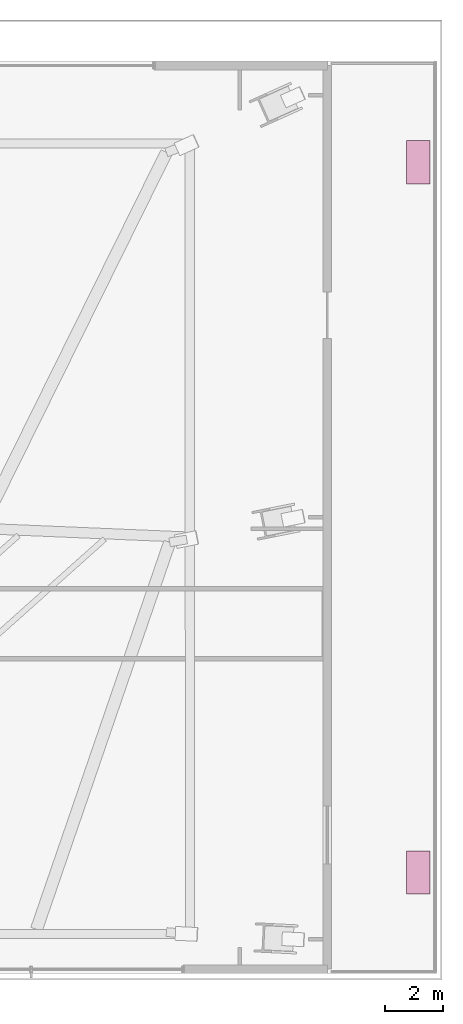
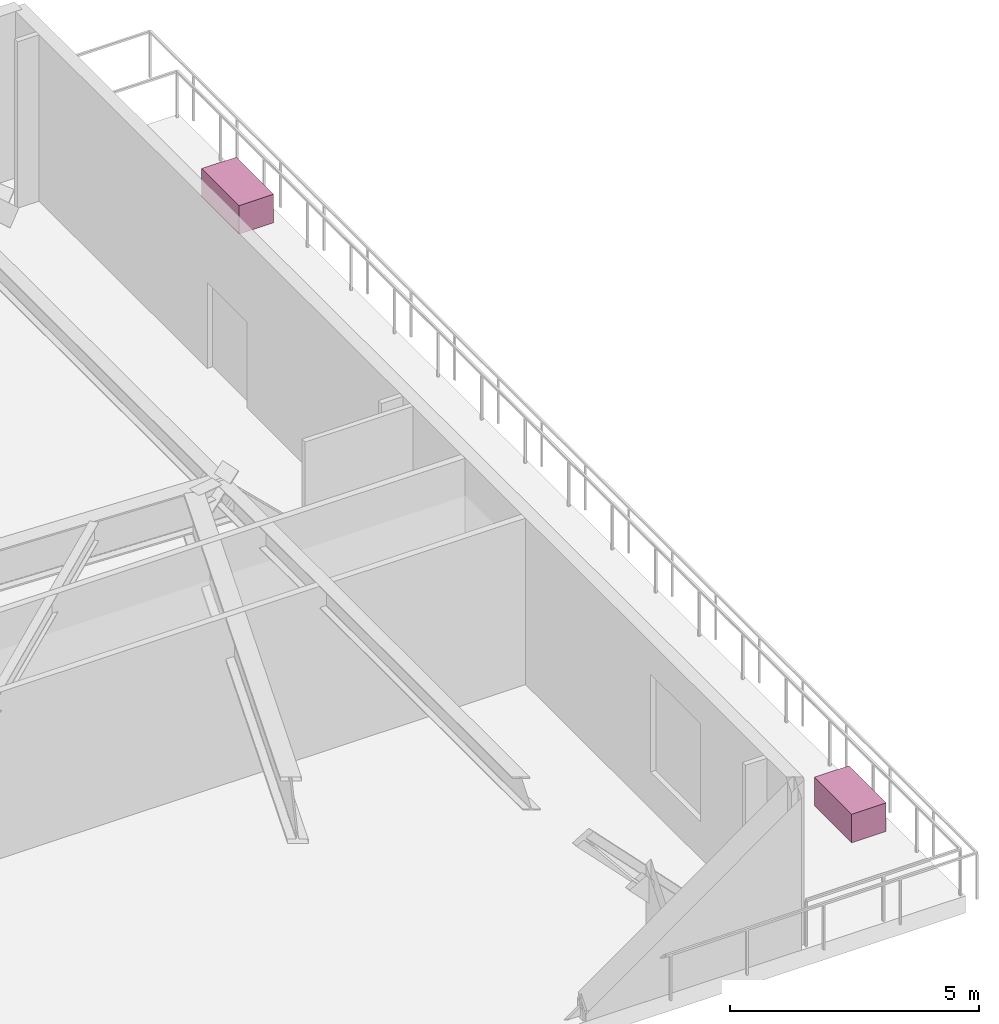
# One storey, part 30 of 30: 2 furnishings.
"""IFC4 building model written with IfcOpenShell, lengths in metres."""

from ifc_helpers import new_model, si_unit, direction, frame, origin, origin_2d, place, context, subcontext, project, spatial, rectangle, extrude, source, transform, mapped, material, type_object, type_shapes, element, save


model = new_model("IFC4")

# Units and contexts
model_context = context("Model", 3, precision=1e-05, world=origin(), true_north=direction((0.0, 1.0)))
body_context = subcontext(model_context, "Body", "Model", "MODEL_VIEW")
ifc_project = project(units=[si_unit("LENGTHUNIT", "METRE"), si_unit("AREAUNIT", "SQUARE_METRE"), si_unit("VOLUMEUNIT", "CUBIC_METRE"), si_unit("PLANEANGLEUNIT", "RADIAN"), si_unit("MASSUNIT", "GRAM", prefix="KILO")], contexts=[model_context])

# Site, building, storey
site_placement = place(None, origin())
site = spatial("IfcSite", under=ifc_project, at=site_placement, CompositionType="ELEMENT")
building_placement = place(site_placement, origin())
building = spatial("IfcBuilding", under=site, at=building_placement, Name="Astriad Promenade Condominiums", CompositionType="ELEMENT")
storey_placement = place(building_placement, frame((0.0, 0.0, 14.0)))
storey = spatial("IfcBuildingStorey", under=building, at=storey_placement, Name="L03", CompositionType="ELEMENT", Elevation=14.0)

# Furnishings
ifc_material = material(Name="Architectural Precast Concrete Planter", Category="concrete")
furnishing_element_type = type_object("IfcFurnishingElementType", Name="PLANTER-TERRACE-1500", material=ifc_material)
shared_shape = source(origin(), body_context, "Body", "SweptSolid", [
    extrude(rectangle(XDim=0.800048828125, YDim=1.5, at=origin_2d()), origin(), (0.0, 0.0, 1.0), 0.699951171875),
])
type_shapes(furnishing_element_type, [shared_shape])
for number, where, z_axis, x_axis, name in (
    (1, (74.60009765625, 4.89990234375, 0.0), (0.0, 0.0, 1.0), (1.0, 0.0, 0.0), "PLN-TER-L03-1"),
    (2, (74.60009765625, 29.5, 0.0), (0.0, 0.0, 1.0), (1.0, 0.0, 0.0), "PLN-TER-L03-2"),
):
    element("IfcFurnishingElement", number, at=place(storey_placement, frame(where, z_axis=z_axis, x_axis=x_axis)), inside=storey, type_object=furnishing_element_type, Name=name, ObjectType="PLANTER", context=body_context, shape_type="MappedRepresentation", body=[
        mapped(shared_shape, transform((0.0, 0.0, 0.0), scale=1.0)),
    ])

save(model, "model.ifc")
